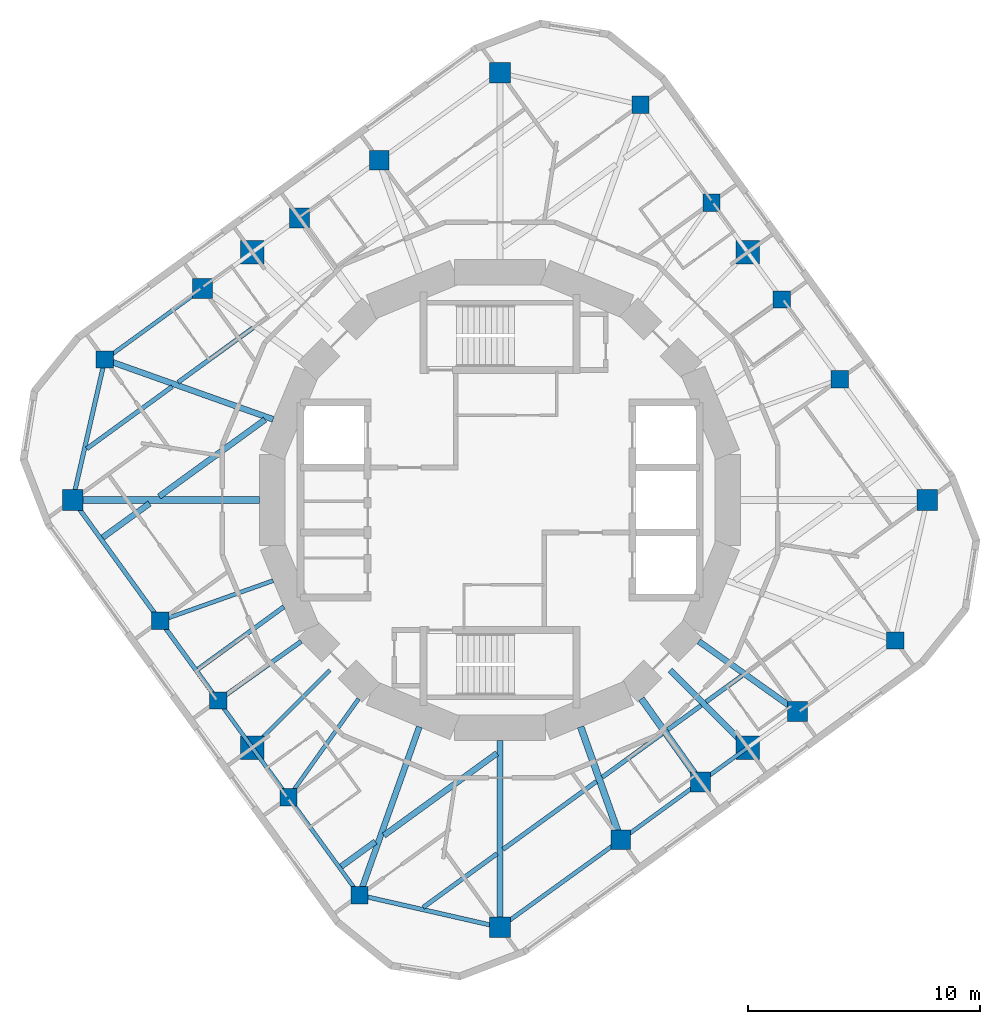
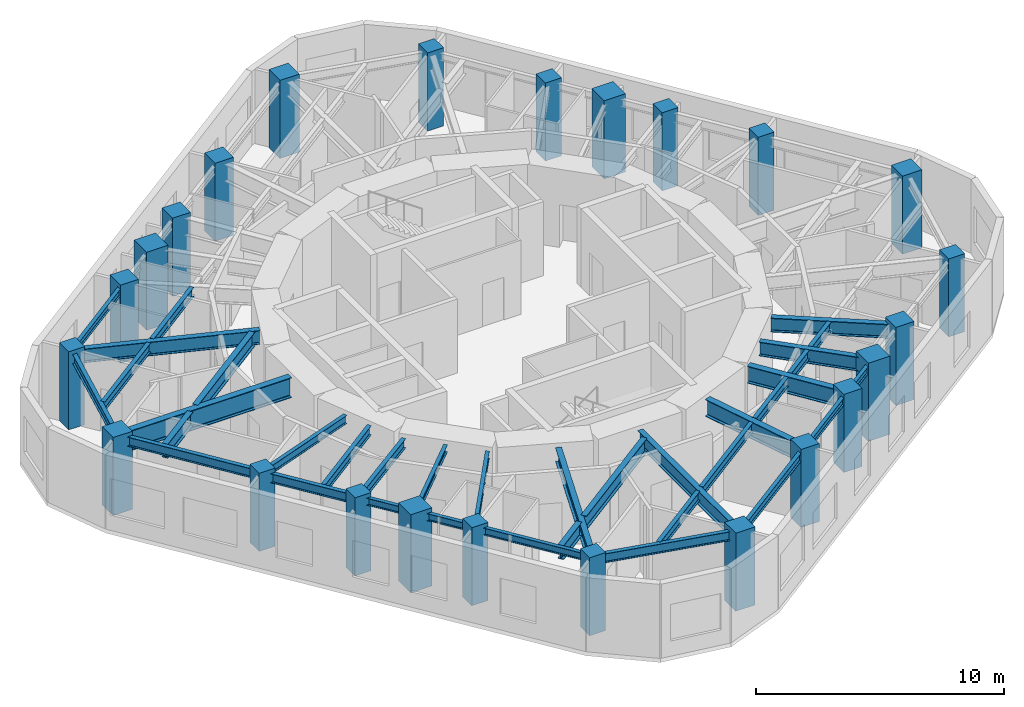
# One storey, part 1 of 9: 35 beams, 24 columns.
"""IFC4 building model written with IfcOpenShell, lengths in metres."""

from ifc_helpers import new_model, si_unit, direction, frame, origin, origin_2d, place, context, subcontext, project, spatial, rectangle, i_section, extrude, material, material_profile, profile_set, type_object, element, save


model = new_model("IFC4")

# Units and contexts
model_context = context("Model", 3, precision=1e-05, world=origin(), true_north=direction((0.0, 1.0)))
body_context = subcontext(model_context, "Body", "Model", "MODEL_VIEW")
ifc_project = project(units=[si_unit("LENGTHUNIT", "METRE"), si_unit("AREAUNIT", "SQUARE_METRE"), si_unit("VOLUMEUNIT", "CUBIC_METRE"), si_unit("PLANEANGLEUNIT", "RADIAN"), si_unit("MASSUNIT", "GRAM", prefix="KILO")], contexts=[model_context])

# Site, building, storey
site_placement = place(None, origin())
site = spatial("IfcSite", under=ifc_project, at=site_placement, CompositionType="ELEMENT")
building_placement = place(site_placement, origin())
building = spatial("IfcBuilding", under=site, at=building_placement, Name="Nakasero Lantern House", CompositionType="ELEMENT")
storey_placement = place(building_placement, frame((0.0, 0.0, 290.699951171875)))
storey = spatial("IfcBuildingStorey", under=building, at=storey_placement, Name="L71", CompositionType="ELEMENT", Elevation=290.699951171875)

# Columns
ifc_material_1 = material(Name="Concrete C40/50", Category="concrete")
ifc_material_profile_1 = material_profile(ifc_material_1, rectangle(XDim=1.0, YDim=1.0, at=origin_2d()), Name="RC 1000x1000")
ifc_profile_set_1 = profile_set([ifc_material_profile_1], Name="Concrete C40/50")
column_type_1 = type_object("IfcColumnType", Name="Mega column RC 1000x1000 C40/50", PredefinedType="COLUMN", material=ifc_profile_set_1)
for number, where, z_axis, x_axis, name in (
    (1, (10.667236328125, 10.667236328125, 0.0), (0.0, 0.0, 1.0), (1.0, 0.0, 0.0), "Column B7-C06 L71"),
    (2, (-10.667236328125, 10.667236328125, 0.0), (0.0, 0.0, 1.0), (1.0, 0.0, 0.0), "Column B7-C12 L71"),
    (3, (-10.667236328125, -10.667236328125, 0.0), (0.0, 0.0, 1.0), (1.0, 0.0, 0.0), "Column B7-C18 L71"),
    (4, (10.667236328125, -10.667236328125, 0.0), (0.0, 0.0, 1.0), (1.0, 0.0, 0.0), "Column B7-C24 L71"),
):
    element("IfcColumn", number, at=place(storey_placement, frame(where, z_axis=z_axis, x_axis=x_axis)), inside=storey, type_object=column_type_1, Name=name, PredefinedType="COLUMN", context=body_context, shape_type="SweptSolid", body=[
        extrude(rectangle(XDim=1.0, YDim=1.0, at=origin_2d()), origin(), (0.0, 0.0, 1.0), 3.85009765625),
    ])
ifc_material_2 = material(Name="Concrete C40/50", Category="concrete")
ifc_material_profile_2 = material_profile(ifc_material_2, rectangle(XDim=0.75, YDim=0.75, at=origin_2d()), Name="RC 750x750")
ifc_profile_set_2 = profile_set([ifc_material_profile_2], Name="Concrete C40/50")
column_type_2 = type_object("IfcColumnType", Name="Ring column RC 750x750 C40/50", PredefinedType="COLUMN", material=ifc_profile_set_2)
for number, where, z_axis, x_axis, name in (
    (5, (17.02001953125, -6.051513671875, 0.0), (0.0, 0.0, 1.0), (1.0, 0.0, 0.0), "Column B7-C02 L71"),
    (6, (14.636474609375, 5.2041015625, 0.0), (0.0, 0.0, 1.0), (1.0, 0.0, 0.0), "Column B7-C04 L71"),
    (7, (12.1435546875, 8.63525390625, 0.0), (0.0, 0.0, 1.0), (1.0, 0.0, 0.0), "Column B7-C05 L71"),
    (8, (9.10986328125, 12.810791015625, 0.0), (0.0, 0.0, 1.0), (1.0, 0.0, 0.0), "Column B7-C07 L71"),
    (9, (6.051513671875, 17.02001953125, 0.0), (0.0, 0.0, 1.0), (1.0, 0.0, 0.0), "Column B7-C08 L71"),
    (10, (-17.02001953125, 6.051513671875, 0.0), (0.0, 0.0, 1.0), (1.0, 0.0, 0.0), "Column B7-C14 L71"),
    (11, (-14.636474609375, -5.2041015625, 0.0), (0.0, 0.0, 1.0), (1.0, 0.0, 0.0), "Column B7-C16 L71"),
    (12, (-12.1435546875, -8.63525390625, 0.0), (0.0, 0.0, 1.0), (1.0, 0.0, 0.0), "Column B7-C17 L71"),
    (13, (-9.10986328125, -12.810791015625, 0.0), (0.0, 0.0, 1.0), (1.0, 0.0, 0.0), "Column B7-C19 L71"),
    (14, (-6.051513671875, -17.02001953125, 0.0), (0.0, 0.0, 1.0), (1.0, 0.0, 0.0), "Column B7-C20 L71"),
):
    element("IfcColumn", number, at=place(storey_placement, frame(where, z_axis=z_axis, x_axis=x_axis)), inside=storey, type_object=column_type_2, Name=name, PredefinedType="COLUMN", context=body_context, shape_type="SweptSolid", body=[
        extrude(rectangle(XDim=0.75, YDim=0.75, at=origin_2d()), origin(), (0.0, 0.0, 1.0), 3.85009765625),
    ])
ifc_material_3 = material(Name="Concrete C40/50", Category="concrete")
ifc_material_profile_3 = material_profile(ifc_material_3, rectangle(XDim=0.85009765625, YDim=0.85009765625, at=origin_2d()), Name="RC 850x850")
ifc_profile_set_3 = profile_set([ifc_material_profile_3], Name="Concrete C40/50")
column_type_3 = type_object("IfcColumnType", Name="Ring column RC 850x850 C40/50", PredefinedType="COLUMN", material=ifc_profile_set_3)
for number, where, z_axis, x_axis, name in (
    (15, (12.810791015625, -9.10986328125, 0.0), (0.0, 0.0, 1.0), (1.0, 0.0, 0.0), "Column B7-C01 L71"),
    (16, (-5.2041015625, 14.636474609375, 0.0), (0.0, 0.0, 1.0), (1.0, 0.0, 0.0), "Column B7-C10 L71"),
    (17, (-8.63525390625, 12.1435546875, 0.0), (0.0, 0.0, 1.0), (1.0, 0.0, 0.0), "Column B7-C11 L71"),
    (18, (-12.810791015625, 9.10986328125, 0.0), (0.0, 0.0, 1.0), (1.0, 0.0, 0.0), "Column B7-C13 L71"),
    (19, (5.2041015625, -14.636474609375, 0.0), (0.0, 0.0, 1.0), (1.0, 0.0, 0.0), "Column B7-C22 L71"),
    (20, (8.63525390625, -12.1435546875, 0.0), (0.0, 0.0, 1.0), (1.0, 0.0, 0.0), "Column B7-C23 L71"),
):
    element("IfcColumn", number, at=place(storey_placement, frame(where, z_axis=z_axis, x_axis=x_axis)), inside=storey, type_object=column_type_3, Name=name, PredefinedType="COLUMN", context=body_context, shape_type="SweptSolid", body=[
        extrude(rectangle(XDim=0.85009765625, YDim=0.85009765625, at=origin_2d()), origin(), (0.0, 0.0, 1.0), 3.85009765625),
    ])
ifc_material_4 = material(Name="Concrete C40/50", Category="concrete")
ifc_material_profile_4 = material_profile(ifc_material_4, rectangle(XDim=0.89990234375, YDim=0.89990234375, at=origin_2d()), Name="RC 900x900")
ifc_profile_set_4 = profile_set([ifc_material_profile_4], Name="Concrete C40/50")
column_type_4 = type_object("IfcColumnType", Name="Ring column RC 900x900 C40/50", PredefinedType="COLUMN", material=ifc_profile_set_4)
for number, where, z_axis, x_axis, name in (
    (21, (18.39990234375, 0.0, 0.0), (0.0, 0.0, 1.0), (1.0, 0.0, 0.0), "Column B7-C03 L71"),
    (22, (0.0, 18.39990234375, 0.0), (0.0, 0.0, 1.0), (1.0, 0.0, 0.0), "Column B7-C09 L71"),
    (23, (-18.39990234375, 0.0, 0.0), (0.0, 0.0, 1.0), (1.0, 0.0, 0.0), "Column B7-C15 L71"),
    (24, (0.0, -18.39990234375, 0.0), (0.0, 0.0, 1.0), (1.0, 0.0, 0.0), "Column B7-C21 L71"),
):
    element("IfcColumn", number, at=place(storey_placement, frame(where, z_axis=z_axis, x_axis=x_axis)), inside=storey, type_object=column_type_4, Name=name, PredefinedType="COLUMN", context=body_context, shape_type="SweptSolid", body=[
        extrude(rectangle(XDim=0.89990234375, YDim=0.89990234375, at=origin_2d()), origin(), (0.0, 0.0, 1.0), 3.85009765625),
    ])

# Beams
ifc_material_5 = material(Name="Steel S355", Category="steel")
ifc_material_profile_5 = material_profile(ifc_material_5, i_section(OverallWidth=0.19140625, OverallDepth=0.4599609375, WebThickness=0.010009765625, FlangeThickness=0.01611328125, FilletRadius=0.01025390625, at=origin_2d()), Name="UB 457x191x82")
ifc_profile_set_5 = profile_set([ifc_material_profile_5], Name="Steel S355")
beam_type_1 = type_object("IfcBeamType", Name="Infill beam UB 457x191x82", PredefinedType="JOIST", material=ifc_profile_set_5)
beam_1_placement = place(storey_placement, frame((-3.311279296875, -17.547607421875, 3.420166015625), z_axis=(0.809028442836, 0.587769494515, 0.0), x_axis=(-0.587769494515, 0.809028442836, 0.0)))
element("IfcBeam", 25, at=beam_1_placement, inside=storey, type_object=beam_type_1, Name="Infill beam L72 03.1", PredefinedType="JOIST", context=body_context, shape_type="SweptSolid", body=[
    extrude(i_section(OverallWidth=0.19140625, OverallDepth=0.4599609375, WebThickness=0.010009765625, FlangeThickness=0.01611328125, FilletRadius=0.01025390625, at=origin_2d()), origin(), (0.0, 0.0, 1.0), 3.934814453125),
])
beam_2_placement = place(storey_placement, frame((0.1279296875, -15.048828125, 3.420166015625), z_axis=(0.809018056479, 0.587783790428, 0.0), x_axis=(-0.587783790428, 0.809018056479, 0.0)))
element("IfcBeam", 26, at=beam_2_placement, inside=storey, type_object=beam_type_1, Name="Infill beam L72 03.2", PredefinedType="JOIST", context=body_context, shape_type="SweptSolid", body=[
    extrude(i_section(OverallWidth=0.19140625, OverallDepth=0.4599609375, WebThickness=0.010009765625, FlangeThickness=0.01611328125, FilletRadius=0.01025390625, at=origin_2d()), origin(), (0.0, 0.0, 1.0), 4.97802734375),
])
beam_3_placement = place(storey_placement, frame((4.40185546875, -11.943603515625, 3.420166015625), z_axis=(0.809014147131, 0.587789171167, 0.0), x_axis=(-0.587789171167, 0.809014147131, 0.0)))
element("IfcBeam", 27, at=beam_3_placement, inside=storey, type_object=beam_type_1, Name="Infill beam L72 03.3", PredefinedType="JOIST", context=body_context, shape_type="SweptSolid", body=[
    extrude(i_section(OverallWidth=0.19140625, OverallDepth=0.4599609375, WebThickness=0.010009765625, FlangeThickness=0.01611328125, FilletRadius=0.01025390625, at=origin_2d()), origin(), (0.0, 0.0, 1.0), 3.188232421875),
])
beam_4_placement = place(storey_placement, frame((7.2177734375, -9.897705078125, 3.420166015625), z_axis=(0.809060510352, 0.587725353025, 0.0), x_axis=(-0.587725353025, 0.809060510352, 0.0)))
element("IfcBeam", 28, at=beam_4_placement, inside=storey, type_object=beam_type_1, Name="Infill beam L72 03.4", PredefinedType="JOIST", context=body_context, shape_type="SweptSolid", body=[
    extrude(i_section(OverallWidth=0.19140625, OverallDepth=0.4599609375, WebThickness=0.010009765625, FlangeThickness=0.01611328125, FilletRadius=0.01025390625, at=origin_2d()), origin(), (0.0, 0.0, 1.0), 1.7890625),
])
beam_5_placement = place(storey_placement, frame((8.874755859375, -8.69384765625, 3.420166015625), z_axis=(0.80900078054, 0.587807568074, 0.0), x_axis=(-0.587807568074, 0.80900078054, 0.0)))
element("IfcBeam", 29, at=beam_5_placement, inside=storey, type_object=beam_type_1, Name="Infill beam L72 03.5", PredefinedType="JOIST", context=body_context, shape_type="SweptSolid", body=[
    extrude(i_section(OverallWidth=0.19140625, OverallDepth=0.4599609375, WebThickness=0.010009765625, FlangeThickness=0.01611328125, FilletRadius=0.01025390625, at=origin_2d()), origin(), (0.0, 0.0, 1.0), 1.913818359375),
])
beam_6_placement = place(storey_placement, frame((-13.006103515625, -7.286376953125, 3.420166015625), z_axis=(0.809017640959, 0.587784362344, 0.0), x_axis=(-0.587784362344, 0.809017640959, 0.0)))
element("IfcBeam", 30, at=beam_6_placement, inside=storey, type_object=beam_type_1, Name="Infill beam L72 07.1", PredefinedType="JOIST", context=body_context, shape_type="SweptSolid", body=[
    extrude(i_section(OverallWidth=0.19140625, OverallDepth=0.4599609375, WebThickness=0.010009765625, FlangeThickness=0.01611328125, FilletRadius=0.01025390625, at=origin_2d()), origin(), (0.0, 0.0, 1.0), 4.572998046875),
])
beam_7_placement = place(storey_placement, frame((-17.798583984375, 2.21044921875, 3.420166015625), z_axis=(0.80901210161, 0.587791986546, 0.0), x_axis=(-0.587791986546, 0.80901210161, 0.0)))
element("IfcBeam", 31, at=beam_7_placement, inside=storey, type_object=beam_type_1, Name="Infill beam L72 10.1", PredefinedType="JOIST", context=body_context, shape_type="SweptSolid", body=[
    extrude(i_section(OverallWidth=0.19140625, OverallDepth=0.4599609375, WebThickness=0.010009765625, FlangeThickness=0.01611328125, FilletRadius=0.01025390625, at=origin_2d()), origin(), (0.0, 0.0, 1.0), 4.55029296875),
])
beam_8_placement = place(storey_placement, frame((-13.86865234375, 5.065673828125, 3.420166015625), z_axis=(0.809006350712, 0.587799901759, 0.0), x_axis=(-0.587799901759, 0.809006350712, 0.0)))
element("IfcBeam", 32, at=beam_8_placement, inside=storey, type_object=beam_type_1, Name="Infill beam L72 10.2", PredefinedType="JOIST", context=body_context, shape_type="SweptSolid", body=[
    extrude(i_section(OverallWidth=0.19140625, OverallDepth=0.4599609375, WebThickness=0.010009765625, FlangeThickness=0.01611328125, FilletRadius=0.01025390625, at=origin_2d()), origin(), (0.0, 0.0, 1.0), 3.983154296875),
])
ifc_material_6 = material(Name="Steel S355", Category="steel")
ifc_material_profile_6 = material_profile(ifc_material_6, i_section(OverallWidth=0.255859375, OverallDepth=0.69287109375, WebThickness=0.014404296875, FlangeThickness=0.023681640625, FilletRadius=0.01513671875, at=origin_2d()), Name="UB 686x254x170")
ifc_profile_set_6 = profile_set([ifc_material_profile_6], Name="Steel S355")
beam_type_2 = type_object("IfcBeamType", Name="Infill beam UB 686x254x170", PredefinedType="JOIST", material=ifc_profile_set_6)
beam_9_placement = place(storey_placement, frame((-6.841796875, -15.786376953125, 3.3037109375), z_axis=(0.809025740158, 0.587773214566, 0.0), x_axis=(-0.587773214566, 0.809025740158, 0.0)))
element("IfcBeam", 33, at=beam_9_placement, inside=storey, type_object=beam_type_2, Name="Infill beam L72 04.1", PredefinedType="JOIST", context=body_context, shape_type="SweptSolid", body=[
    extrude(i_section(OverallWidth=0.255859375, OverallDepth=0.69287109375, WebThickness=0.014404296875, FlangeThickness=0.023681640625, FilletRadius=0.01513671875, at=origin_2d()), origin(), (0.0, 0.0, 1.0), 1.82177734375),
])
beam_10_placement = place(storey_placement, frame((-5.001953125, -14.44970703125, 3.3037109375), z_axis=(0.809011117524, 0.587793340998, 0.0), x_axis=(-0.587793340998, 0.809011117524, 0.0)))
element("IfcBeam", 34, at=beam_10_placement, inside=storey, type_object=beam_type_2, Name="Infill beam L72 04.2", PredefinedType="JOIST", context=body_context, shape_type="SweptSolid", body=[
    extrude(i_section(OverallWidth=0.255859375, OverallDepth=0.69287109375, WebThickness=0.014404296875, FlangeThickness=0.023681640625, FilletRadius=0.01513671875, at=origin_2d()), origin(), (0.0, 0.0, 1.0), 6.024658203125),
])
beam_11_placement = place(storey_placement, frame((-17.1123046875, -1.6171875, 3.3037109375), z_axis=(0.809015124384, 0.587787826106, 0.0), x_axis=(-0.587787826106, 0.809015124384, 0.0)))
element("IfcBeam", 35, at=beam_11_placement, inside=storey, type_object=beam_type_2, Name="Infill beam L72 09.1", PredefinedType="JOIST", context=body_context, shape_type="SweptSolid", body=[
    extrude(i_section(OverallWidth=0.255859375, OverallDepth=0.69287109375, WebThickness=0.014404296875, FlangeThickness=0.023681640625, FilletRadius=0.01513671875, at=origin_2d()), origin(), (0.0, 0.0, 1.0), 2.496337890625),
])
beam_12_placement = place(storey_placement, frame((-14.679931640625, 0.14990234375, 3.3037109375), z_axis=(0.809013172462, 0.587790512669, 0.0), x_axis=(-0.587790512669, 0.809013172462, 0.0)))
element("IfcBeam", 36, at=beam_12_placement, inside=storey, type_object=beam_type_2, Name="Infill beam L72 09.2", PredefinedType="JOIST", context=body_context, shape_type="SweptSolid", body=[
    extrude(i_section(OverallWidth=0.255859375, OverallDepth=0.69287109375, WebThickness=0.014404296875, FlangeThickness=0.023681640625, FilletRadius=0.01513671875, at=origin_2d()), origin(), (0.0, 0.0, 1.0), 5.63720703125),
])
ifc_material_7 = material(Name="Steel S355", Category="steel")
ifc_material_profile_7 = material_profile(ifc_material_7, i_section(OverallWidth=0.300048828125, OverallDepth=0.989990234375, WebThickness=0.0166015625, FlangeThickness=0.031005859375, FilletRadius=0.030029296875, at=origin_2d()), Name="UB 1016x305x272")
ifc_profile_set_7 = profile_set([ifc_material_profile_7], Name="Steel S355")
beam_type_3 = type_object("IfcBeamType", Name="Primary beam UB 1016x305x272, span 6 to 9 m", PredefinedType="BEAM", material=ifc_profile_set_7)
beam_13_placement = place(storey_placement, frame((-18.39990234375, 0.0, 3.155029296875), z_axis=(1.0, 0.0, 0.0), x_axis=(0.0, 1.0, 0.0)))
element("IfcBeam", 37, at=beam_13_placement, inside=storey, type_object=beam_type_3, Name="Primary beam L72 B7-C15", PredefinedType="BEAM", context=body_context, shape_type="SweptSolid", body=[
    extrude(i_section(OverallWidth=0.300048828125, OverallDepth=0.989990234375, WebThickness=0.0166015625, FlangeThickness=0.031005859375, FilletRadius=0.030029296875, at=origin_2d()), origin(), (0.0, 0.0, 1.0), 8.0419921875),
])
ifc_material_8 = material(Name="Steel S355", Category="steel")
ifc_material_profile_8 = material_profile(ifc_material_8, i_section(OverallWidth=0.17138671875, OverallDepth=0.35498046875, WebThickness=0.00732421875, FlangeThickness=0.011474609375, FilletRadius=0.01025390625, at=origin_2d()), Name="UB 356x171x51")
ifc_profile_set_8 = profile_set([ifc_material_profile_8], Name="Steel S355")
beam_type_4 = type_object("IfcBeamType", Name="Primary beam UB 356x171x51, span to 6 m", PredefinedType="BEAM", material=ifc_profile_set_8)
beam_14_placement = place(storey_placement, frame((-10.667236328125, -10.667236328125, 3.47265625), z_axis=(0.707106781187, 0.707106781187, 0.0), x_axis=(-0.707106781187, 0.707106781187, 0.0)))
element("IfcBeam", 38, at=beam_14_placement, inside=storey, type_object=beam_type_4, Name="Primary beam L72 B7-C18", PredefinedType="BEAM", context=body_context, shape_type="SweptSolid", body=[
    extrude(i_section(OverallWidth=0.17138671875, OverallDepth=0.35498046875, WebThickness=0.00732421875, FlangeThickness=0.011474609375, FilletRadius=0.01025390625, at=origin_2d()), origin(), (0.0, 0.0, 1.0), 4.727783203125),
])
beam_15_placement = place(storey_placement, frame((-9.10986328125, -12.810791015625, 3.47265625), z_axis=(0.579500985986, 0.814971537688, 0.0), x_axis=(-0.814971537688, 0.579500985986, 0.0)))
element("IfcBeam", 39, at=beam_15_placement, inside=storey, type_object=beam_type_4, Name="Primary beam L72 B7-C19", PredefinedType="BEAM", context=body_context, shape_type="SweptSolid", body=[
    extrude(i_section(OverallWidth=0.17138671875, OverallDepth=0.35498046875, WebThickness=0.00732421875, FlangeThickness=0.011474609375, FilletRadius=0.01025390625, at=origin_2d()), origin(), (0.0, 0.0, 1.0), 5.215087890625),
])
ifc_material_9 = material(Name="Steel S355", Category="steel")
ifc_material_profile_9 = material_profile(ifc_material_9, i_section(OverallWidth=0.177978515625, OverallDepth=0.406494140625, WebThickness=0.0078125, FlangeThickness=0.0126953125, FilletRadius=0.01025390625, at=origin_2d()), Name="UB 406x178x60")
ifc_profile_set_9 = profile_set([ifc_material_profile_9], Name="Steel S355")
beam_type_5 = type_object("IfcBeamType", Name="Primary beam UB 406x178x60, span to 6 m", PredefinedType="BEAM", material=ifc_profile_set_9)
beam_16_placement = place(storey_placement, frame((-14.636474609375, -5.2041015625, 3.44677734375), z_axis=(0.942221324153, 0.3349910093, 0.0), x_axis=(-0.3349910093, 0.942221324153, 0.0)))
element("IfcBeam", 40, at=beam_16_placement, inside=storey, type_object=beam_type_5, Name="Primary beam L72 B7-C16", PredefinedType="BEAM", context=body_context, shape_type="SweptSolid", body=[
    extrude(i_section(OverallWidth=0.177978515625, OverallDepth=0.406494140625, WebThickness=0.0078125, FlangeThickness=0.0126953125, FilletRadius=0.01025390625, at=origin_2d()), origin(), (0.0, 0.0, 1.0), 5.162841796875),
])
ifc_material_10 = material(Name="Steel S355", Category="steel")
ifc_material_profile_10 = material_profile(ifc_material_10, i_section(OverallWidth=0.19140625, OverallDepth=0.4599609375, WebThickness=0.010009765625, FlangeThickness=0.01611328125, FilletRadius=0.01025390625, at=origin_2d()), Name="UB 457x191x82")
ifc_profile_set_10 = profile_set([ifc_material_profile_10], Name="Steel S355")
beam_type_6 = type_object("IfcBeamType", Name="Primary beam UB 457x191x82, span to 6 m", PredefinedType="BEAM", material=ifc_profile_set_10)
beam_17_placement = place(storey_placement, frame((-12.1435546875, -8.63525390625, 3.420166015625), z_axis=(0.814988544116, 0.579477068537, 0.0), x_axis=(-0.579477068537, 0.814988544116, 0.0)))
element("IfcBeam", 41, at=beam_17_placement, inside=storey, type_object=beam_type_6, Name="Primary beam L72 B7-C17", PredefinedType="BEAM", context=body_context, shape_type="SweptSolid", body=[
    extrude(i_section(OverallWidth=0.19140625, OverallDepth=0.4599609375, WebThickness=0.010009765625, FlangeThickness=0.01611328125, FilletRadius=0.01025390625, at=origin_2d()), origin(), (0.0, 0.0, 1.0), 4.396484375),
])
ifc_material_11 = material(Name="Steel S355", Category="steel")
ifc_material_profile_11 = material_profile(ifc_material_11, i_section(OverallWidth=0.253662109375, OverallDepth=0.68359375, WebThickness=0.012451171875, FlangeThickness=0.01904296875, FilletRadius=0.01513671875, at=origin_2d()), Name="UB 686x254x140")
ifc_profile_set_11 = profile_set([ifc_material_profile_11], Name="Steel S355")
beam_type_7 = type_object("IfcBeamType", Name="Primary beam UB 686x254x140, span 6 to 9 m", PredefinedType="BEAM", material=ifc_profile_set_11)
beam_18_placement = place(storey_placement, frame((-17.02001953125, 6.051513671875, 3.308349609375), z_axis=(0.942222036561, -0.334989005521, 0.0), x_axis=(0.334989005521, 0.942222036561, 0.0)))
element("IfcBeam", 42, at=beam_18_placement, inside=storey, type_object=beam_type_7, Name="Primary beam L72 B7-C14", PredefinedType="BEAM", context=body_context, shape_type="SweptSolid", body=[
    extrude(i_section(OverallWidth=0.253662109375, OverallDepth=0.68359375, WebThickness=0.012451171875, FlangeThickness=0.01904296875, FilletRadius=0.01513671875, at=origin_2d()), origin(), (0.0, 0.0, 1.0), 7.6923828125),
])
ifc_material_12 = material(Name="Steel S355", Category="steel")
ifc_material_profile_12 = material_profile(ifc_material_12, i_section(OverallWidth=0.255859375, OverallDepth=0.69287109375, WebThickness=0.014404296875, FlangeThickness=0.023681640625, FilletRadius=0.01513671875, at=origin_2d()), Name="UB 686x254x170")
ifc_profile_set_12 = profile_set([ifc_material_profile_12], Name="Steel S355")
beam_type_8 = type_object("IfcBeamType", Name="Primary beam UB 686x254x170, span 6 to 9 m", PredefinedType="BEAM", material=ifc_profile_set_12)
beam_19_placement = place(storey_placement, frame((-6.051513671875, -17.02001953125, 3.3037109375), z_axis=(0.334989005521, 0.942222036561, 0.0), x_axis=(-0.942222036561, 0.334989005521, 0.0)))
element("IfcBeam", 43, at=beam_19_placement, inside=storey, type_object=beam_type_8, Name="Primary beam L72 B7-C20", PredefinedType="BEAM", context=body_context, shape_type="SweptSolid", body=[
    extrude(i_section(OverallWidth=0.255859375, OverallDepth=0.69287109375, WebThickness=0.014404296875, FlangeThickness=0.023681640625, FilletRadius=0.01513671875, at=origin_2d()), origin(), (0.0, 0.0, 1.0), 7.6923828125),
])
beam_20_placement = place(storey_placement, frame((0.0, -18.39990234375, 3.3037109375), z_axis=(0.0, 1.0, 0.0), x_axis=(-1.0, 0.0, 0.0)))
element("IfcBeam", 44, at=beam_20_placement, inside=storey, type_object=beam_type_8, Name="Primary beam L72 B7-C21", PredefinedType="BEAM", context=body_context, shape_type="SweptSolid", body=[
    extrude(i_section(OverallWidth=0.255859375, OverallDepth=0.69287109375, WebThickness=0.014404296875, FlangeThickness=0.023681640625, FilletRadius=0.01513671875, at=origin_2d()), origin(), (0.0, 0.0, 1.0), 8.0419921875),
])
ifc_material_13 = material(Name="Steel S355", Category="steel")
ifc_material_profile_13 = material_profile(ifc_material_13, i_section(OverallWidth=0.255859375, OverallDepth=0.69287109375, WebThickness=0.014404296875, FlangeThickness=0.023681640625, FilletRadius=0.01513671875, at=origin_2d()), Name="UB 686x254x170")
ifc_profile_set_13 = profile_set([ifc_material_profile_13], Name="Steel S355")
beam_type_9 = type_object("IfcBeamType", Name="Primary beam UB 686x254x170, span to 6 m", PredefinedType="BEAM", material=ifc_profile_set_13)
beam_21_placement = place(storey_placement, frame((12.810791015625, -9.10986328125, 3.3037109375), z_axis=(-0.814971537688, 0.579500985986, 0.0), x_axis=(-0.579500985986, -0.814971537688, 0.0)))
element("IfcBeam", 45, at=beam_21_placement, inside=storey, type_object=beam_type_9, Name="Primary beam L72 B7-C01", PredefinedType="BEAM", context=body_context, shape_type="SweptSolid", body=[
    extrude(i_section(OverallWidth=0.255859375, OverallDepth=0.69287109375, WebThickness=0.014404296875, FlangeThickness=0.023681640625, FilletRadius=0.01513671875, at=origin_2d()), origin(), (0.0, 0.0, 1.0), 5.215087890625),
])
beam_22_placement = place(storey_placement, frame((10.667236328125, -10.667236328125, 3.3037109375), z_axis=(-0.707106781187, 0.707106781187, 0.0), x_axis=(-0.707106781187, -0.707106781187, 0.0)))
element("IfcBeam", 46, at=beam_22_placement, inside=storey, type_object=beam_type_9, Name="Primary beam L72 B7-C24", PredefinedType="BEAM", context=body_context, shape_type="SweptSolid", body=[
    extrude(i_section(OverallWidth=0.255859375, OverallDepth=0.69287109375, WebThickness=0.014404296875, FlangeThickness=0.023681640625, FilletRadius=0.01513671875, at=origin_2d()), origin(), (0.0, 0.0, 1.0), 4.727783203125),
])
ifc_material_14 = material(Name="Steel S355", Category="steel")
ifc_material_profile_14 = material_profile(ifc_material_14, i_section(OverallWidth=0.29248046875, OverallDepth=0.8408203125, WebThickness=0.0146484375, FlangeThickness=0.02685546875, FilletRadius=0.017822265625, at=origin_2d()), Name="UB 838x292x194")
ifc_profile_set_14 = profile_set([ifc_material_profile_14], Name="Steel S355")
beam_type_10 = type_object("IfcBeamType", Name="Primary beam UB 838x292x194, span to 6 m", PredefinedType="BEAM", material=ifc_profile_set_14)
beam_23_placement = place(storey_placement, frame((5.2041015625, -14.636474609375, 3.229736328125), z_axis=(-0.3349910093, 0.942221324153, 0.0), x_axis=(-0.942221324153, -0.3349910093, 0.0)))
element("IfcBeam", 47, at=beam_23_placement, inside=storey, type_object=beam_type_10, Name="Primary beam L72 B7-C22", PredefinedType="BEAM", context=body_context, shape_type="SweptSolid", body=[
    extrude(i_section(OverallWidth=0.29248046875, OverallDepth=0.8408203125, WebThickness=0.0146484375, FlangeThickness=0.02685546875, FilletRadius=0.017822265625, at=origin_2d()), origin(), (0.0, 0.0, 1.0), 5.162841796875),
])
beam_24_placement = place(storey_placement, frame((8.63525390625, -12.1435546875, 3.229736328125), z_axis=(-0.579477068537, 0.814988544116, 0.0), x_axis=(-0.814988544116, -0.579477068537, 0.0)))
element("IfcBeam", 48, at=beam_24_placement, inside=storey, type_object=beam_type_10, Name="Primary beam L72 B7-C23", PredefinedType="BEAM", context=body_context, shape_type="SweptSolid", body=[
    extrude(i_section(OverallWidth=0.29248046875, OverallDepth=0.8408203125, WebThickness=0.0146484375, FlangeThickness=0.02685546875, FilletRadius=0.017822265625, at=origin_2d()), origin(), (0.0, 0.0, 1.0), 4.396484375),
])
ifc_material_15 = material(Name="Steel S355", Category="steel")
ifc_material_profile_15 = material_profile(ifc_material_15, i_section(OverallWidth=0.17138671875, OverallDepth=0.35498046875, WebThickness=0.00732421875, FlangeThickness=0.011474609375, FilletRadius=0.01025390625, at=origin_2d()), Name="UB 356x171x51")
ifc_profile_set_15 = profile_set([ifc_material_profile_15], Name="Steel S355")
beam_type_11 = type_object("IfcBeamType", Name="Ring beam UB 356x171x51", PredefinedType="BEAM", material=ifc_profile_set_15)
beam_25_placement = place(storey_placement, frame((-12.810791015625, 9.10986328125, 3.47265625), z_axis=(-0.809001814948, -0.587806144414, 0.0), x_axis=(0.587806144414, -0.809001814948, 0.0)))
element("IfcBeam", 49, at=beam_25_placement, inside=storey, type_object=beam_type_11, Name="Ring beam L72 B7-C13", PredefinedType="BEAM", context=body_context, shape_type="SweptSolid", body=[
    extrude(i_section(OverallWidth=0.17138671875, OverallDepth=0.35498046875, WebThickness=0.00732421875, FlangeThickness=0.011474609375, FilletRadius=0.01025390625, at=origin_2d()), origin(), (0.0, 0.0, 1.0), 5.202880859375),
])
beam_26_placement = place(storey_placement, frame((-12.1435546875, -8.63525390625, 3.47265625), z_axis=(0.58778439593, -0.809017616558, 0.0), x_axis=(0.809017616558, 0.58778439593, 0.0)))
element("IfcBeam", 50, at=beam_26_placement, inside=storey, type_object=beam_type_11, Name="Ring beam L72 B7-C17", PredefinedType="BEAM", context=body_context, shape_type="SweptSolid", body=[
    extrude(i_section(OverallWidth=0.17138671875, OverallDepth=0.35498046875, WebThickness=0.00732421875, FlangeThickness=0.011474609375, FilletRadius=0.01025390625, at=origin_2d()), origin(), (0.0, 0.0, 1.0), 2.51171875),
])
beam_27_placement = place(storey_placement, frame((-10.667236328125, -10.667236328125, 3.47265625), z_axis=(0.587782635143, -0.809018895839, 0.0), x_axis=(0.809018895839, 0.587782635143, 0.0)))
element("IfcBeam", 51, at=beam_27_placement, inside=storey, type_object=beam_type_11, Name="Ring beam L72 B7-C18", PredefinedType="BEAM", context=body_context, shape_type="SweptSolid", body=[
    extrude(i_section(OverallWidth=0.17138671875, OverallDepth=0.35498046875, WebThickness=0.00732421875, FlangeThickness=0.011474609375, FilletRadius=0.01025390625, at=origin_2d()), origin(), (0.0, 0.0, 1.0), 2.649658203125),
])
beam_28_placement = place(storey_placement, frame((-9.10986328125, -12.810791015625, 3.47265625), z_axis=(0.587806144414, -0.809001814948, 0.0), x_axis=(0.809001814948, 0.587806144414, 0.0)))
element("IfcBeam", 52, at=beam_28_placement, inside=storey, type_object=beam_type_11, Name="Ring beam L72 B7-C19", PredefinedType="BEAM", context=body_context, shape_type="SweptSolid", body=[
    extrude(i_section(OverallWidth=0.17138671875, OverallDepth=0.35498046875, WebThickness=0.00732421875, FlangeThickness=0.011474609375, FilletRadius=0.01025390625, at=origin_2d()), origin(), (0.0, 0.0, 1.0), 5.202880859375),
])
beam_29_placement = place(storey_placement, frame((5.2041015625, -14.636474609375, 3.47265625), z_axis=(0.809012304944, 0.587791706687, 0.0), x_axis=(-0.587791706687, 0.809012304944, 0.0)))
element("IfcBeam", 53, at=beam_29_placement, inside=storey, type_object=beam_type_11, Name="Ring beam L72 B7-C22", PredefinedType="BEAM", context=body_context, shape_type="SweptSolid", body=[
    extrude(i_section(OverallWidth=0.17138671875, OverallDepth=0.35498046875, WebThickness=0.00732421875, FlangeThickness=0.011474609375, FilletRadius=0.01025390625, at=origin_2d()), origin(), (0.0, 0.0, 1.0), 4.2412109375),
])
beam_30_placement = place(storey_placement, frame((8.63525390625, -12.1435546875, 3.47265625), z_axis=(0.809017616558, 0.58778439593, 0.0), x_axis=(-0.58778439593, 0.809017616558, 0.0)))
element("IfcBeam", 54, at=beam_30_placement, inside=storey, type_object=beam_type_11, Name="Ring beam L72 B7-C23", PredefinedType="BEAM", context=body_context, shape_type="SweptSolid", body=[
    extrude(i_section(OverallWidth=0.17138671875, OverallDepth=0.35498046875, WebThickness=0.00732421875, FlangeThickness=0.011474609375, FilletRadius=0.01025390625, at=origin_2d()), origin(), (0.0, 0.0, 1.0), 2.51171875),
])
ifc_material_16 = material(Name="Steel S355", Category="steel")
ifc_material_profile_16 = material_profile(ifc_material_16, i_section(OverallWidth=0.177978515625, OverallDepth=0.406494140625, WebThickness=0.0078125, FlangeThickness=0.0126953125, FilletRadius=0.01025390625, at=origin_2d()), Name="UB 406x178x60")
ifc_profile_set_16 = profile_set([ifc_material_profile_16], Name="Steel S355")
beam_type_12 = type_object("IfcBeamType", Name="Ring beam UB 406x178x60", PredefinedType="BEAM", material=ifc_profile_set_16)
beam_31_placement = place(storey_placement, frame((0.0, -18.39990234375, 3.44677734375), z_axis=(0.810316200404, 0.58599287996, 0.0), x_axis=(-0.58599287996, 0.810316200404, 0.0)))
element("IfcBeam", 55, at=beam_31_placement, inside=storey, type_object=beam_type_12, Name="Ring beam L72 B7-C21", PredefinedType="BEAM", context=body_context, shape_type="SweptSolid", body=[
    extrude(i_section(OverallWidth=0.177978515625, OverallDepth=0.406494140625, WebThickness=0.0078125, FlangeThickness=0.0126953125, FilletRadius=0.01025390625, at=origin_2d()), origin(), (0.0, 0.0, 1.0), 6.42236328125),
])
ifc_material_17 = material(Name="Steel S355", Category="steel")
ifc_material_profile_17 = material_profile(ifc_material_17, i_section(OverallWidth=0.18994140625, OverallDepth=0.453369140625, WebThickness=0.008544921875, FlangeThickness=0.0126953125, FilletRadius=0.01025390625, at=origin_2d()), Name="UB 457x191x67")
ifc_profile_set_17 = profile_set([ifc_material_profile_17], Name="Steel S355")
beam_type_13 = type_object("IfcBeamType", Name="Ring beam UB 457x191x67", PredefinedType="BEAM", material=ifc_profile_set_17)
beam_32_placement = place(storey_placement, frame((-17.02001953125, 6.051513671875, 3.42333984375), z_axis=(-0.222316387753, -0.974974575944, 0.0), x_axis=(0.974974575944, -0.222316387753, 0.0)))
element("IfcBeam", 56, at=beam_32_placement, inside=storey, type_object=beam_type_13, Name="Ring beam L72 B7-C14", PredefinedType="BEAM", context=body_context, shape_type="SweptSolid", body=[
    extrude(i_section(OverallWidth=0.18994140625, OverallDepth=0.453369140625, WebThickness=0.008544921875, FlangeThickness=0.0126953125, FilletRadius=0.01025390625, at=origin_2d()), origin(), (0.0, 0.0, 1.0), 6.206787109375),
])
beam_33_placement = place(storey_placement, frame((-14.636474609375, -5.2041015625, 3.42333984375), z_axis=(0.587791706687, -0.809012304944, 0.0), x_axis=(0.809012304944, 0.587791706687, 0.0)))
element("IfcBeam", 57, at=beam_33_placement, inside=storey, type_object=beam_type_13, Name="Ring beam L72 B7-C16", PredefinedType="BEAM", context=body_context, shape_type="SweptSolid", body=[
    extrude(i_section(OverallWidth=0.18994140625, OverallDepth=0.453369140625, WebThickness=0.008544921875, FlangeThickness=0.0126953125, FilletRadius=0.01025390625, at=origin_2d()), origin(), (0.0, 0.0, 1.0), 4.2412109375),
])
beam_34_placement = place(storey_placement, frame((-6.051513671875, -17.02001953125, 3.42333984375), z_axis=(0.974974575944, -0.222316387753, 0.0), x_axis=(0.222316387753, 0.974974575944, 0.0)))
element("IfcBeam", 58, at=beam_34_placement, inside=storey, type_object=beam_type_13, Name="Ring beam L72 B7-C20", PredefinedType="BEAM", context=body_context, shape_type="SweptSolid", body=[
    extrude(i_section(OverallWidth=0.18994140625, OverallDepth=0.453369140625, WebThickness=0.008544921875, FlangeThickness=0.0126953125, FilletRadius=0.01025390625, at=origin_2d()), origin(), (0.0, 0.0, 1.0), 6.206787109375),
])
ifc_material_18 = material(Name="Steel S355", Category="steel")
ifc_material_profile_18 = material_profile(ifc_material_18, i_section(OverallWidth=0.19140625, OverallDepth=0.4599609375, WebThickness=0.010009765625, FlangeThickness=0.01611328125, FilletRadius=0.01025390625, at=origin_2d()), Name="UB 457x191x82")
ifc_profile_set_18 = profile_set([ifc_material_profile_18], Name="Steel S355")
beam_type_14 = type_object("IfcBeamType", Name="Ring beam UB 457x191x82", PredefinedType="BEAM", material=ifc_profile_set_18)
beam_35_placement = place(storey_placement, frame((-18.39990234375, 0.0, 3.420166015625), z_axis=(0.58599287996, -0.810316200404, 0.0), x_axis=(0.810316200404, 0.58599287996, 0.0)))
element("IfcBeam", 59, at=beam_35_placement, inside=storey, type_object=beam_type_14, Name="Ring beam L72 B7-C15", PredefinedType="BEAM", context=body_context, shape_type="SweptSolid", body=[
    extrude(i_section(OverallWidth=0.19140625, OverallDepth=0.4599609375, WebThickness=0.010009765625, FlangeThickness=0.01611328125, FilletRadius=0.01025390625, at=origin_2d()), origin(), (0.0, 0.0, 1.0), 6.42236328125),
])

save(model, "model.ifc")
